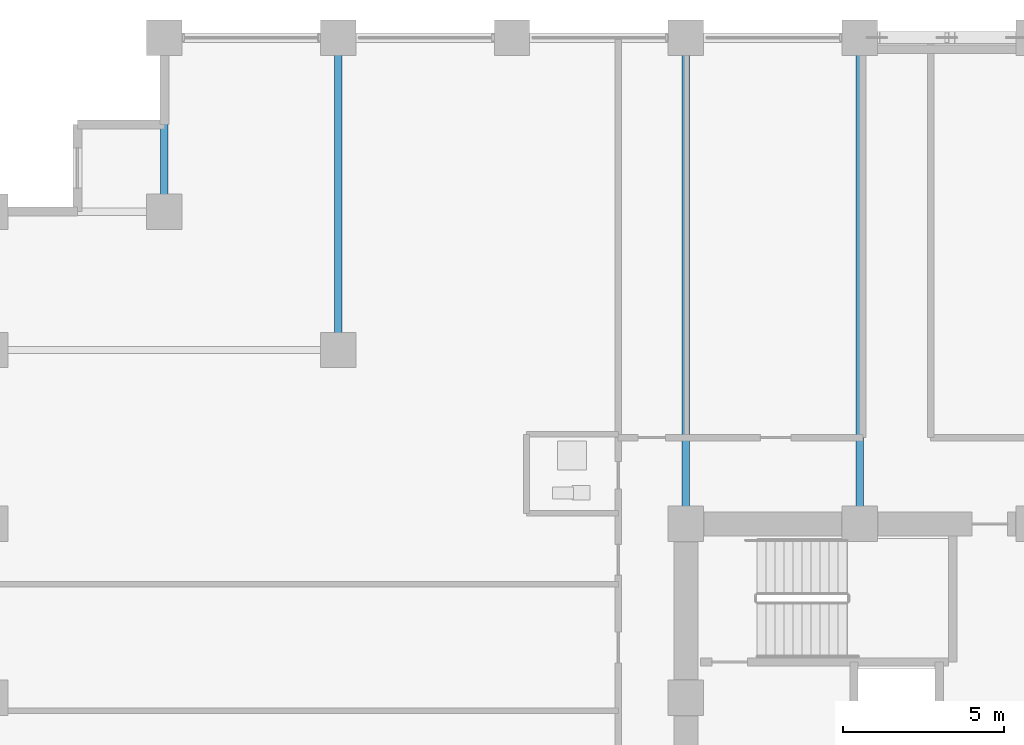
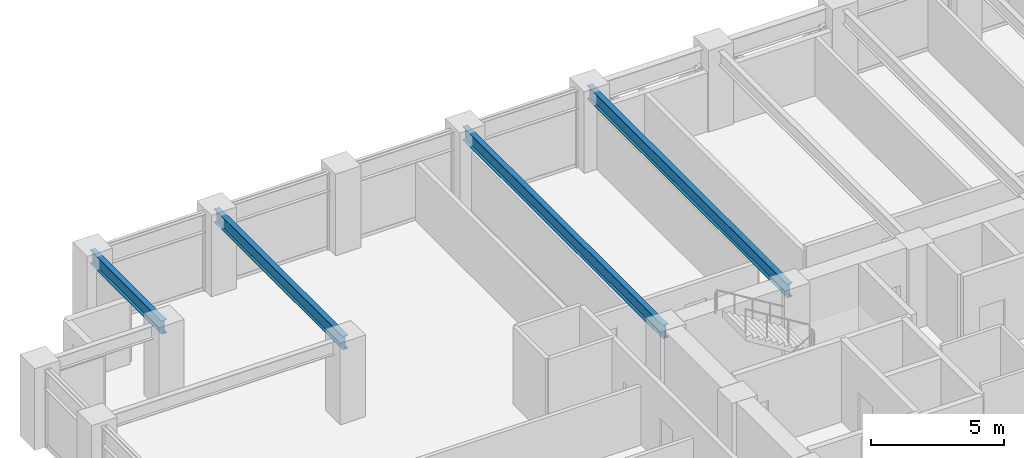
# One storey, part 11 of 25: 4 beams.
"""IFC4 building model written with IfcOpenShell, lengths in metres."""

from ifc_helpers import new_model, si_unit, direction, frame, origin, origin_2d, place, context, subcontext, project, spatial, i_section, extrude, material, material_profile, profile_set, type_object, element, save


model = new_model("IFC4")

# Units and contexts
model_context = context("Model", 3, precision=1e-05, world=origin(), true_north=direction((0.0, 1.0)))
body_context = subcontext(model_context, "Body", "Model", "MODEL_VIEW")
ifc_project = project(units=[si_unit("LENGTHUNIT", "METRE"), si_unit("AREAUNIT", "SQUARE_METRE"), si_unit("VOLUMEUNIT", "CUBIC_METRE"), si_unit("PLANEANGLEUNIT", "RADIAN"), si_unit("MASSUNIT", "GRAM", prefix="KILO")], contexts=[model_context])

# Site, building, storey
site_placement = place(None, origin())
site = spatial("IfcSite", under=ifc_project, at=site_placement, CompositionType="ELEMENT")
building_placement = place(site_placement, origin())
building = spatial("IfcBuilding", under=site, at=building_placement, Name="Surkhivell Harbour Commons", CompositionType="ELEMENT")
storey_placement = place(building_placement, frame((0.0, 0.0, 113.25)))
storey = spatial("IfcBuildingStorey", under=building, at=storey_placement, Name="L29", CompositionType="ELEMENT", Elevation=113.25)

# Beams
ifc_material = material(Name="Steel S355", Category="steel")
ifc_material_profile = material_profile(ifc_material, i_section(OverallWidth=0.22998046875, OverallDepth=0.616943359375, WebThickness=0.01318359375, FlangeThickness=0.022216796875, at=origin_2d()), Name="UB610x229x140")
ifc_profile_set = profile_set([ifc_material_profile], Name="Steel S355")
beam_type = type_object("IfcBeamType", Name="BM-GRD-610B", PredefinedType="BEAM", material=ifc_profile_set)
beam_1_placement = place(storey_placement, frame((-27.0, 20.5, 3.261474609375), z_axis=(0.0, 1.0, 0.0), x_axis=(-1.0, 0.0, 0.0)))
element("IfcBeam", 1, at=beam_1_placement, inside=storey, type_object=beam_type, Name="L29 Floor Girder (-27.0,20.5)", PredefinedType="BEAM", context=body_context, shape_type="SweptSolid", body=[
    extrude(i_section(OverallWidth=0.22998046875, OverallDepth=0.616943359375, WebThickness=0.01318359375, FlangeThickness=0.022216796875, at=origin_2d()), origin(), (0.0, 0.0, 1.0), 5.39990234375),
])
beam_2_placement = place(storey_placement, frame((-21.60009765625, 16.199951171875, 3.261474609375), z_axis=(0.0, 1.0, 0.0), x_axis=(-1.0, 0.0, 0.0)))
element("IfcBeam", 2, at=beam_2_placement, inside=storey, type_object=beam_type, Name="L29 Floor Girder (-21.6,16.2)", PredefinedType="BEAM", context=body_context, shape_type="SweptSolid", body=[
    extrude(i_section(OverallWidth=0.22998046875, OverallDepth=0.616943359375, WebThickness=0.01318359375, FlangeThickness=0.022216796875, at=origin_2d()), origin(), (0.0, 0.0, 1.0), 9.699951171875),
])
for number, where, z_axis, x_axis, name in (
    (3, (-10.800048828125, 10.800048828125, 3.261474609375), (0.0, 1.0, 0.0), (-1.0, 0.0, 0.0), "L29 Floor Girder (-10.8,10.8)"),
    (4, (-5.39990234375, 10.800048828125, 3.261474609375), (0.0, 1.0, 0.0), (-1.0, 0.0, 0.0), "L29 Floor Girder (-5.4,10.8)"),
):
    element("IfcBeam", number, at=place(storey_placement, frame(where, z_axis=z_axis, x_axis=x_axis)), inside=storey, type_object=beam_type, Name=name, PredefinedType="BEAM", context=body_context, shape_type="SweptSolid", body=[
        extrude(i_section(OverallWidth=0.22998046875, OverallDepth=0.616943359375, WebThickness=0.01318359375, FlangeThickness=0.022216796875, at=origin_2d()), origin(), (0.0, 0.0, 1.0), 15.099853515625),
    ])

save(model, "model.ifc")
